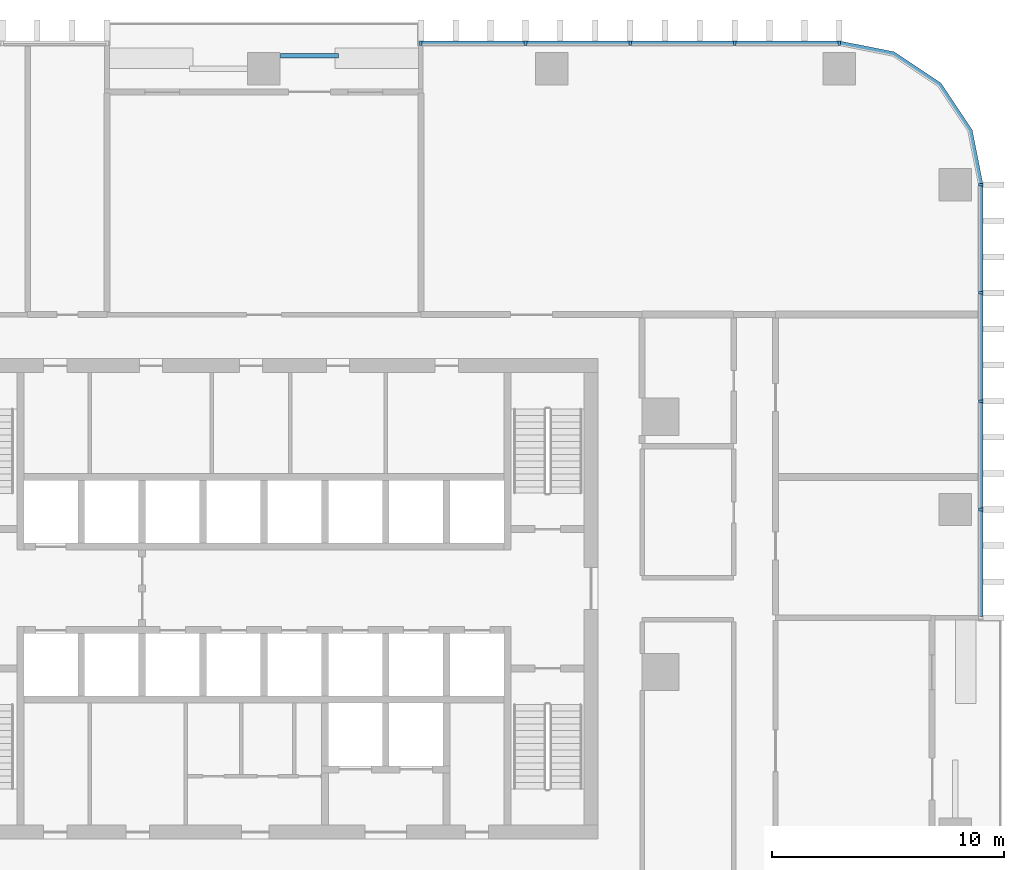
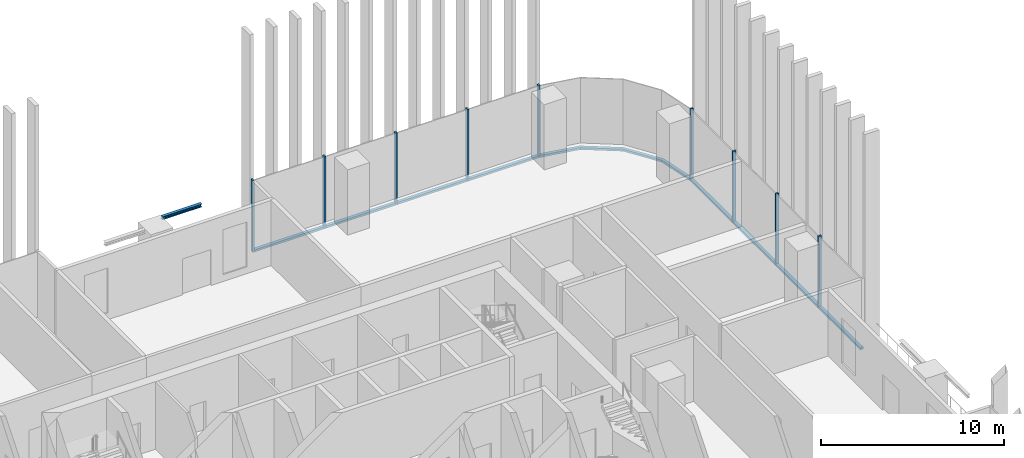
# One storey, part 5 of 17: 18 members, 1 beam, 3 elements without a shape of their own.
"""IFC4 building model written with IfcOpenShell, lengths in metres."""

from ifc_helpers import new_model, si_unit, direction, frame, origin, origin_2d, place, context, subcontext, project, spatial, polyline, rectangle, i_section, outline, extrude, material, material_profile, profile_set, type_object, element, aggregate, save


model = new_model("IFC4")

# Units and contexts
model_context = context("Model", 3, precision=1e-05, world=origin(), true_north=direction((0.0, 1.0)))
body_context = subcontext(model_context, "Body", "Model", "MODEL_VIEW")
ifc_project = project(units=[si_unit("LENGTHUNIT", "METRE"), si_unit("AREAUNIT", "SQUARE_METRE"), si_unit("VOLUMEUNIT", "CUBIC_METRE"), si_unit("PLANEANGLEUNIT", "RADIAN"), si_unit("MASSUNIT", "GRAM", prefix="KILO")], contexts=[model_context])

# Site, building, storey
site_placement = place(None, origin())
site = spatial("IfcSite", under=ifc_project, at=site_placement, CompositionType="ELEMENT")
building_placement = place(site_placement, origin())
building = spatial("IfcBuilding", under=site, at=building_placement, Name="Mopane Tessera Tower", CompositionType="ELEMENT")
storey_placement = place(building_placement, frame((0.0, 0.0, 45.39990234375)))
storey = spatial("IfcBuildingStorey", under=building, at=storey_placement, Name="L08", CompositionType="ELEMENT", Elevation=45.39990234375)

# Curtain wall, members
ifc_material_1 = material(Name="Aluminium frame", Category="aluminium")
curtain_wall_type = type_object("IfcCurtainWallType", Name="Lower tower unitised wall", PredefinedType="NOTDEFINED", material=ifc_material_1)
curtain_wall_1_placement = place(storey_placement, origin())
curtain_wall_1 = element("IfcCurtainWall", 1, at=curtain_wall_1_placement, inside=storey, type_object=curtain_wall_type, Name="e:cw:L08:E:5", PredefinedType="NOTDEFINED")
ifc_material_2 = material(Name="Aluminium frame", Category="aluminium")
ifc_material_profile_1 = material_profile(ifc_material_2, rectangle(XDim=0.110107421875, YDim=0.199951171875, at=origin_2d()))
ifc_profile_set_1 = profile_set([ifc_material_profile_1], Name="Aluminium frame")
member_type_1 = type_object("IfcMemberType", Name="Aluminium mullion 110 x 200", PredefinedType="MULLION", material=ifc_profile_set_1)
member_1_placement = place(storey_placement, frame((30.89990234375, 7.0, -0.449951171875), z_axis=(0.0, 0.0, 1.0), x_axis=(0.0, 1.0, 0.0)))
member_1 = element("IfcMember", 2, at=member_1_placement, type_object=member_type_1, Name="e:cw:L08:E:5:mu6", PredefinedType="MULLION", context=body_context, shape_type="SweptSolid", body=[
    extrude(rectangle(XDim=0.110107421875, YDim=0.199951171875, at=origin_2d()), origin(), (0.0, 0.0, 1.0), 4.800048828125),
])
member_2_placement = place(storey_placement, frame((30.89990234375, 11.666748046875, -0.449951171875), z_axis=(0.0, 0.0, 1.0), x_axis=(0.0, 1.0, 0.0)))
member_2 = element("IfcMember", 3, at=member_2_placement, type_object=member_type_1, Name="e:cw:L08:E:5:mu7", PredefinedType="MULLION", context=body_context, shape_type="SweptSolid", body=[
    extrude(rectangle(XDim=0.110107421875, YDim=0.199951171875, at=origin_2d()), origin(), (0.0, 0.0, 1.0), 4.800048828125),
])
member_3_placement = place(storey_placement, frame((30.89990234375, 16.333251953125, -0.449951171875), z_axis=(0.0, 0.0, 1.0), x_axis=(0.0, 1.0, 0.0)))
member_3 = element("IfcMember", 4, at=member_3_placement, type_object=member_type_1, Name="e:cw:L08:E:5:mu8", PredefinedType="MULLION", context=body_context, shape_type="SweptSolid", body=[
    extrude(rectangle(XDim=0.110107421875, YDim=0.199951171875, at=origin_2d()), origin(), (0.0, 0.0, 1.0), 4.800048828125),
])
member_4_placement = place(storey_placement, frame((30.89990234375, 21.0, -0.449951171875), z_axis=(0.0, 0.0, 1.0), x_axis=(0.0, 1.0, 0.0)))
member_4 = element("IfcMember", 5, at=member_4_placement, type_object=member_type_1, Name="e:cw:L08:E:5:mu9", PredefinedType="MULLION", context=body_context, shape_type="SweptSolid", body=[
    extrude(rectangle(XDim=0.110107421875, YDim=0.199951171875, at=origin_2d()), origin(), (0.0, 0.0, 1.0), 4.800048828125),
])

curtain_wall_2_placement = place(storey_placement, origin())
curtain_wall_2 = element("IfcCurtainWall", 6, at=curtain_wall_2_placement, inside=storey, type_object=curtain_wall_type, Name="e:cw:L08:N:0", PredefinedType="NOTDEFINED")
member_5_placement = place(storey_placement, frame((24.800048828125, 27.10009765625, -0.449951171875), z_axis=(0.0, 0.0, 1.0), x_axis=(-1.0, 0.0, 0.0)))
member_5 = element("IfcMember", 7, at=member_5_placement, type_object=member_type_1, Name="e:cw:L08:N:0:mu0", PredefinedType="MULLION", context=body_context, shape_type="SweptSolid", body=[
    extrude(rectangle(XDim=0.110107421875, YDim=0.199951171875, at=origin_2d()), origin(), (0.0, 0.0, 1.0), 4.800048828125),
])
member_6_placement = place(storey_placement, frame((20.291015625, 27.10009765625, -0.449951171875), z_axis=(0.0, 0.0, 1.0), x_axis=(-1.0, 0.0, 0.0)))
member_6 = element("IfcMember", 8, at=member_6_placement, type_object=member_type_1, Name="e:cw:L08:N:0:mu1", PredefinedType="MULLION", context=body_context, shape_type="SweptSolid", body=[
    extrude(rectangle(XDim=0.110107421875, YDim=0.199951171875, at=origin_2d()), origin(), (0.0, 0.0, 1.0), 4.800048828125),
])
member_7_placement = place(storey_placement, frame((15.78173828125, 27.10009765625, -0.449951171875), z_axis=(0.0, 0.0, 1.0), x_axis=(-1.0, 0.0, 0.0)))
member_7 = element("IfcMember", 9, at=member_7_placement, type_object=member_type_1, Name="e:cw:L08:N:0:mu2", PredefinedType="MULLION", context=body_context, shape_type="SweptSolid", body=[
    extrude(rectangle(XDim=0.110107421875, YDim=0.199951171875, at=origin_2d()), origin(), (0.0, 0.0, 1.0), 4.800048828125),
])
member_8_placement = place(storey_placement, frame((11.272705078125, 27.10009765625, -0.449951171875), z_axis=(0.0, 0.0, 1.0), x_axis=(-1.0, 0.0, 0.0)))
member_8 = element("IfcMember", 10, at=member_8_placement, type_object=member_type_1, Name="e:cw:L08:N:0:mu3", PredefinedType="MULLION", context=body_context, shape_type="SweptSolid", body=[
    extrude(rectangle(XDim=0.110107421875, YDim=0.199951171875, at=origin_2d()), origin(), (0.0, 0.0, 1.0), 4.800048828125),
])
member_9_placement = place(storey_placement, frame((6.763671875, 27.10009765625, -0.449951171875), z_axis=(0.0, 0.0, 1.0), x_axis=(-1.0, 0.0, 0.0)))
member_9 = element("IfcMember", 11, at=member_9_placement, type_object=member_type_1, Name="e:cw:L08:N:0:mu4", PredefinedType="MULLION", context=body_context, shape_type="SweptSolid", body=[
    extrude(rectangle(XDim=0.110107421875, YDim=0.199951171875, at=origin_2d()), origin(), (0.0, 0.0, 1.0), 4.800048828125),
])

# Member
ifc_material_3 = material(Name="Aluminium frame", Category="aluminium")
ifc_material_profile_2 = material_profile(ifc_material_3, rectangle(XDim=0.199951171875, YDim=0.139892578125, at=origin_2d()))
ifc_profile_set_2 = profile_set([ifc_material_profile_2], Name="Aluminium frame")
member_type_2 = type_object("IfcMemberType", Name="Aluminium transom 200 x 140", PredefinedType="USERDEFINED", material=ifc_profile_set_2)
member_10_placement = place(storey_placement, frame((30.89990234375, 2.388427734375, -0.3798828125), z_axis=(0.0, 1.0, 0.0), x_axis=(-1.0, 0.0, 0.0)))
member_10 = element("IfcMember", 12, at=member_10_placement, type_object=member_type_2, Name="e:cw:L08:E:5:tr5", ObjectType="TRANSOM", PredefinedType="USERDEFINED", context=body_context, shape_type="SweptSolid", body=[
    extrude(rectangle(XDim=0.199951171875, YDim=0.139892578125, at=origin_2d()), origin(), (0.0, 0.0, 1.0), 4.556640625),
])

member_11_placement = place(storey_placement, frame((30.89990234375, 7.054931640625, -0.3798828125), z_axis=(0.0, 1.0, 0.0), x_axis=(-1.0, 0.0, 0.0)))
member_11 = element("IfcMember", 13, at=member_11_placement, type_object=member_type_2, Name="e:cw:L08:E:5:tr6", ObjectType="TRANSOM", PredefinedType="USERDEFINED", context=body_context, shape_type="SweptSolid", body=[
    extrude(rectangle(XDim=0.199951171875, YDim=0.139892578125, at=origin_2d()), origin(), (0.0, 0.0, 1.0), 4.556640625),
])

member_12_placement = place(storey_placement, frame((30.89990234375, 11.7216796875, -0.3798828125), z_axis=(0.0, 1.0, 0.0), x_axis=(-1.0, 0.0, 0.0)))
member_12 = element("IfcMember", 14, at=member_12_placement, type_object=member_type_2, Name="e:cw:L08:E:5:tr7", ObjectType="TRANSOM", PredefinedType="USERDEFINED", context=body_context, shape_type="SweptSolid", body=[
    extrude(rectangle(XDim=0.199951171875, YDim=0.139892578125, at=origin_2d()), origin(), (0.0, 0.0, 1.0), 4.556640625),
])

member_13_placement = place(storey_placement, frame((30.89990234375, 16.388427734375, -0.3798828125), z_axis=(0.0, 1.0, 0.0), x_axis=(-1.0, 0.0, 0.0)))
member_13 = element("IfcMember", 15, at=member_13_placement, type_object=member_type_2, Name="e:cw:L08:E:5:tr8", ObjectType="TRANSOM", PredefinedType="USERDEFINED", context=body_context, shape_type="SweptSolid", body=[
    extrude(rectangle(XDim=0.199951171875, YDim=0.139892578125, at=origin_2d()), origin(), (0.0, 0.0, 1.0), 4.556640625),
])

aggregate(curtain_wall_1, [member_1, member_2, member_3, member_4, member_10, member_11, member_12, member_13])

# Curtain wall, member
curtain_wall_3_placement = place(storey_placement, origin())
curtain_wall_3 = element("IfcCurtainWall", 16, at=curtain_wall_3_placement, inside=storey, type_object=curtain_wall_type, Name="e:cw:L08:CE", PredefinedType="NOTDEFINED")
member_14_placement = place(storey_placement, frame((0.0, 0.0, -0.449951171875)))
member_14 = element("IfcMember", 17, at=member_14_placement, type_object=member_type_2, Name="e:cw:L08:CE:tr", ObjectType="TRANSOM", PredefinedType="USERDEFINED", context=body_context, shape_type="SweptSolid", body=[
    extrude(outline(polyline([(30.800048828125, 21.0), (30.34326171875, 23.296142578125), (29.042724609375, 25.24267578125), (27.09619140625, 26.543212890625), (24.800048828125, 27.0), (24.800048828125, 27.199951171875), (27.172607421875, 26.72802734375), (29.18408203125, 25.384033203125), (30.528076171875, 23.37255859375), (31.0, 21.0), (30.800048828125, 21.0)])), origin(), (0.0, 0.0, 1.0), 0.14013671875),
])
aggregate(curtain_wall_3, [member_14])

# Member
member_15_placement = place(storey_placement, frame((24.7451171875, 27.10009765625, -0.3798828125), z_axis=(-1.0, 0.0, 0.0), x_axis=(0.0, -1.0, 0.0)))
member_15 = element("IfcMember", 18, at=member_15_placement, type_object=member_type_2, Name="e:cw:L08:N:0:tr0", ObjectType="TRANSOM", PredefinedType="USERDEFINED", context=body_context, shape_type="SweptSolid", body=[
    extrude(rectangle(XDim=0.199951171875, YDim=0.139892578125, at=origin_2d()), origin(), (0.0, 0.0, 1.0), 4.399169921875),
])

member_16_placement = place(storey_placement, frame((20.23583984375, 27.10009765625, -0.3798828125), z_axis=(-1.0, 0.0, 0.0), x_axis=(0.0, -1.0, 0.0)))
member_16 = element("IfcMember", 19, at=member_16_placement, type_object=member_type_2, Name="e:cw:L08:N:0:tr1", ObjectType="TRANSOM", PredefinedType="USERDEFINED", context=body_context, shape_type="SweptSolid", body=[
    extrude(rectangle(XDim=0.199951171875, YDim=0.139892578125, at=origin_2d()), origin(), (0.0, 0.0, 1.0), 4.39892578125),
])

member_17_placement = place(storey_placement, frame((15.726806640625, 27.10009765625, -0.3798828125), z_axis=(-1.0, 0.0, 0.0), x_axis=(0.0, -1.0, 0.0)))
member_17 = element("IfcMember", 20, at=member_17_placement, type_object=member_type_2, Name="e:cw:L08:N:0:tr2", ObjectType="TRANSOM", PredefinedType="USERDEFINED", context=body_context, shape_type="SweptSolid", body=[
    extrude(rectangle(XDim=0.199951171875, YDim=0.139892578125, at=origin_2d()), origin(), (0.0, 0.0, 1.0), 4.399169921875),
])

member_18_placement = place(storey_placement, frame((11.2177734375, 27.10009765625, -0.3798828125), z_axis=(-1.0, 0.0, 0.0), x_axis=(0.0, -1.0, 0.0)))
member_18 = element("IfcMember", 21, at=member_18_placement, type_object=member_type_2, Name="e:cw:L08:N:0:tr3", ObjectType="TRANSOM", PredefinedType="USERDEFINED", context=body_context, shape_type="SweptSolid", body=[
    extrude(rectangle(XDim=0.199951171875, YDim=0.139892578125, at=origin_2d()), origin(), (0.0, 0.0, 1.0), 4.399169921875),
])

aggregate(curtain_wall_2, [member_5, member_6, member_7, member_8, member_9, member_15, member_16, member_17, member_18])

# Beam
ifc_material_4 = material(Name="Structural steel S460", Category="steel")
ifc_material_profile_3 = material_profile(ifc_material_4, i_section(OverallWidth=0.199951171875, OverallDepth=0.199951171875, WebThickness=0.009033203125, FlangeThickness=0.014892578125, FilletRadius=0.01806640625, at=origin_2d()))
ifc_profile_set_3 = profile_set([ifc_material_profile_3], Name="Structural steel S460")
beam_type = type_object("IfcBeamType", Name="Terrace trimmer beam HE 200 B", PredefinedType="BEAM", material=ifc_profile_set_3)
beam_placement = place(storey_placement, frame((0.702880859375, 26.56005859375, 4.25), z_axis=(1.0, 0.0, 0.0), x_axis=(0.0, 1.0, 0.0)))
element("IfcBeam", 22, at=beam_placement, inside=storey, type_object=beam_type, Name="Terrace trimmer beam N2 L09", PredefinedType="BEAM", context=body_context, shape_type="SweptSolid", body=[
    extrude(i_section(OverallWidth=0.199951171875, OverallDepth=0.199951171875, WebThickness=0.009033203125, FlangeThickness=0.014892578125, FilletRadius=0.01806640625, at=origin_2d()), origin(), (0.0, 0.0, 1.0), 2.5),
])

save(model, "model.ifc")
